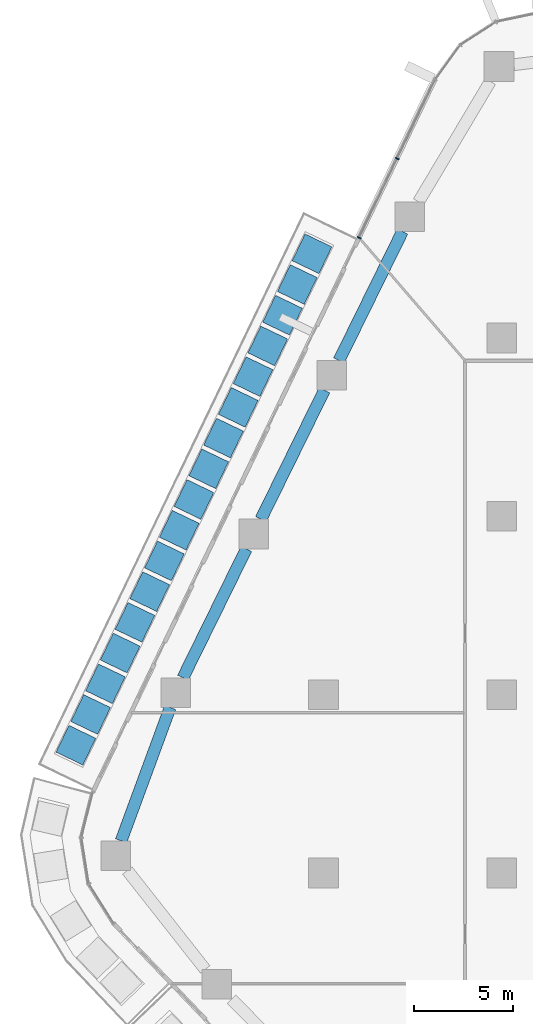
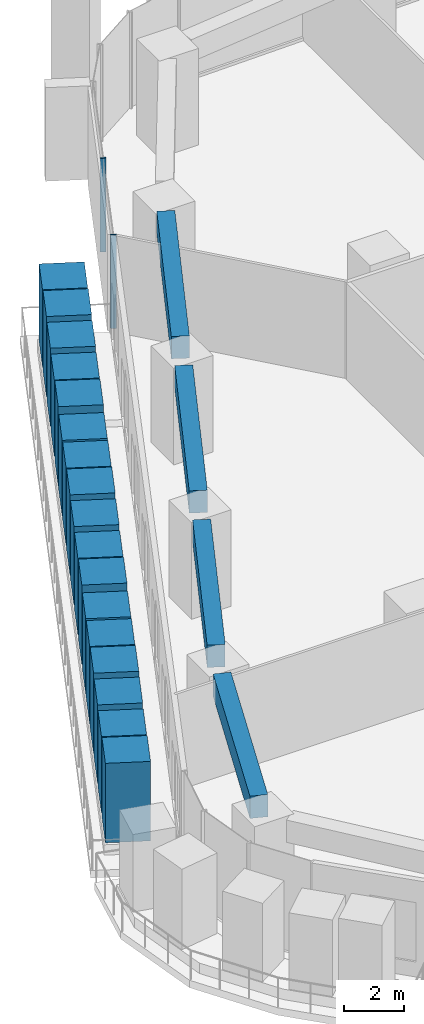
# One storey, part 5 of 23: 19 members, 4 beams, 1 element without a shape of its own.
"""IFC4 building model written with IfcOpenShell, lengths in metres."""

from ifc_helpers import new_model, si_unit, direction, frame, origin, origin_2d, place, context, subcontext, project, spatial, rectangle, extrude, material, layer, layer_set, material_profile, profile_set, type_object, element, aggregate, save


model = new_model("IFC4")

# Units and contexts
model_context = context("Model", 3, precision=1e-05, world=origin(), true_north=direction((0.0, 1.0)))
body_context = subcontext(model_context, "Body", "Model", "MODEL_VIEW")
ifc_project = project(units=[si_unit("LENGTHUNIT", "METRE"), si_unit("AREAUNIT", "SQUARE_METRE"), si_unit("VOLUMEUNIT", "CUBIC_METRE"), si_unit("PLANEANGLEUNIT", "RADIAN"), si_unit("MASSUNIT", "GRAM", prefix="KILO")], contexts=[model_context])

# Site, building, storey
site_placement = place(None, origin())
site = spatial("IfcSite", under=ifc_project, at=site_placement, CompositionType="ELEMENT")
building_placement = place(site_placement, origin())
building = spatial("IfcBuilding", under=site, at=building_placement, Name="Dongbaek Canopy Tower", CompositionType="ELEMENT")
storey_placement = place(building_placement, frame((0.0, 0.0, 84.699951171875)))
storey = spatial("IfcBuildingStorey", under=building, at=storey_placement, Name="L17", CompositionType="ELEMENT", Elevation=84.699951171875)

# Curtain wall, members
ifc_material_1 = material(Name="Aluminium 6063-T6 pale anodised", Category="aluminium")
ifc_layer = layer(ifc_material_1, 0.199951171875)
ifc_layer_set = layer_set([ifc_layer], Name="CW-1 unitised tower curtain wall")
curtain_wall_type = type_object("IfcCurtainWallType", Name="CW-1 unitised tower curtain wall", PredefinedType="NOTDEFINED", material=ifc_layer_set)
curtain_wall_placement = place(storey_placement, origin())
curtain_wall = element("IfcCurtainWall", 1, at=curtain_wall_placement, inside=storey, type_object=curtain_wall_type, Name="CW-1 curtain wall F2.1", PredefinedType="NOTDEFINED")
ifc_material_2 = material(Name="Aluminium 6063-T6 pale anodised", Category="aluminium")
ifc_material_profile_1 = material_profile(ifc_material_2, rectangle(XDim=0.199951171875, YDim=0.06005859375, at=origin_2d()), Name="CW-1 mullion 60 x 200")
ifc_profile_set_1 = profile_set([ifc_material_profile_1], Name="Aluminium 6063-T6 pale anodised")
member_type_1 = type_object("IfcMemberType", Name="CW-1 mullion 60 x 200", PredefinedType="MULLION", material=ifc_profile_set_1)
member_1_placement = place(storey_placement, frame((-23.282958984375, 27.058349609375, 0.1201171875), z_axis=(0.0, 0.0, 1.0), x_axis=(-0.901357104443, 0.433076633254, 0.0)))
member_1 = element("IfcMember", 2, at=member_1_placement, type_object=member_type_1, Name="CW-1 mullion F2.1.2", PredefinedType="MULLION", context=body_context, shape_type="SweptSolid", body=[
    extrude(rectangle(XDim=0.199951171875, YDim=0.06005859375, at=origin_2d()), origin(), (0.0, 0.0, 1.0), 3.780029296875),
])
member_2_placement = place(storey_placement, frame((-25.203125, 23.062255859375, 0.1201171875), z_axis=(0.0, 0.0, 1.0), x_axis=(-0.901357104443, 0.433076633254, 0.0)))
member_2 = element("IfcMember", 3, at=member_2_placement, type_object=member_type_1, Name="CW-1 mullion F2.1.3", PredefinedType="MULLION", context=body_context, shape_type="SweptSolid", body=[
    extrude(rectangle(XDim=0.199951171875, YDim=0.06005859375, at=origin_2d()), origin(), (0.0, 0.0, 1.0), 3.780029296875),
])
aggregate(curtain_wall, [member_1, member_2])

# Beams
ifc_material_3 = material(Name="Concrete C80", Category="concrete")
ifc_material_profile_2 = material_profile(ifc_material_3, rectangle(XDim=0.60009765625, YDim=0.89990234375, at=origin_2d()), Name="RC EDGE BEAM 600x900 C80")
ifc_profile_set_2 = profile_set([ifc_material_profile_2], Name="Concrete C80")
beam_type = type_object("IfcBeamType", Name="RC EDGE BEAM 600x900 C80", PredefinedType="BEAM", material=ifc_profile_set_2)
beam_1_placement = place(storey_placement, frame((-37.213134765625, -7.373046875, 3.449951171875), z_axis=(0.345225397682, 0.938519805223, 0.0), x_axis=(-0.938519805223, 0.345225397682, 0.0)))
element("IfcBeam", 4, at=beam_1_placement, inside=storey, type_object=beam_type, Name="EDGEBEAM:L17:08", PredefinedType="BEAM", context=body_context, shape_type="SweptSolid", body=[
    extrude(rectangle(XDim=0.60009765625, YDim=0.89990234375, at=origin_2d()), origin(), (0.0, 0.0, 1.0), 7.166748046875),
])
beam_2_placement = place(storey_placement, frame((-34.09423828125, 0.85302734375, 3.449951171875), z_axis=(0.441292548313, 0.897363297, 0.0), x_axis=(-0.897363297, 0.441292548313, 0.0)))
element("IfcBeam", 5, at=beam_2_placement, inside=storey, type_object=beam_type, Name="EDGEBEAM:L17:09", PredefinedType="BEAM", context=body_context, shape_type="SweptSolid", body=[
    extrude(rectangle(XDim=0.60009765625, YDim=0.89990234375, at=origin_2d()), origin(), (0.0, 0.0, 1.0), 7.25244140625),
])
for number, where, z_axis, x_axis, name in (
    (6, (-30.156005859375, 8.861083984375, 3.449951171875), (0.441413427837, 0.897303842477, 0.0), (-0.897303842477, 0.441413427837, 0.0), "EDGEBEAM:L17:10"),
    (7, (-26.217041015625, 16.867919921875, 3.449951171875), (0.441318766596, 0.897350403271, 0.0), (-0.897350403271, 0.441318766596, 0.0), "EDGEBEAM:L17:11"),
):
    element("IfcBeam", number, at=place(storey_placement, frame(where, z_axis=z_axis, x_axis=x_axis)), inside=storey, type_object=beam_type, Name=name, PredefinedType="BEAM", context=body_context, shape_type="SweptSolid", body=[
        extrude(rectangle(XDim=0.60009765625, YDim=0.89990234375, at=origin_2d()), origin(), (0.0, 0.0, 1.0), 7.25146484375),
    ])

# Members
ifc_material_4 = material(Name="Concrete C40/50 planter mass with planting", Category="concrete")
ifc_material_profile_3 = material_profile(ifc_material_4, rectangle(XDim=1.5, YDim=1.5, at=origin_2d()), Name="Terrace PLANTER shrub mass 1500 x 1500")
ifc_profile_set_3 = profile_set([ifc_material_profile_3], Name="Concrete C40/50 planter mass with planting")
member_type_2 = type_object("IfcMemberType", Name="Terrace PLANTER shrub mass 1500 x 1500", PredefinedType="USERDEFINED", material=ifc_profile_set_3)
member_3_placement = place(storey_placement, frame((-27.57861328125, 22.251220703125, 0.420166015625), z_axis=(0.0, 0.0, 1.0), x_axis=(-0.901357104443, 0.433076633254, 0.0)))
element("IfcMember", 8, at=member_3_placement, inside=storey, type_object=member_type_2, Name="Planter shrubs L17 2.1", ObjectType="PLANTER", PredefinedType="USERDEFINED", context=body_context, shape_type="SweptSolid", body=[
    extrude(rectangle(XDim=1.5, YDim=1.5, at=origin_2d()), origin(), (0.0, 0.0, 1.0), 3.1298828125),
])
member_4_placement = place(storey_placement, frame((-28.323486328125, 20.701171875, 0.420166015625), z_axis=(0.0, 0.0, 1.0), x_axis=(-0.901357104443, 0.433076633254, 0.0)))
element("IfcMember", 9, at=member_4_placement, inside=storey, type_object=member_type_2, Name="Planter shrubs L17 2.2", ObjectType="PLANTER", PredefinedType="USERDEFINED", context=body_context, shape_type="SweptSolid", body=[
    extrude(rectangle(XDim=1.5, YDim=1.5, at=origin_2d()), origin(), (0.0, 0.0, 1.0), 3.25),
])
member_5_placement = place(storey_placement, frame((-29.068115234375, 19.151123046875, 0.420166015625), z_axis=(0.0, 0.0, 1.0), x_axis=(-0.901357104443, 0.433076633254, 0.0)))
element("IfcMember", 10, at=member_5_placement, inside=storey, type_object=member_type_2, Name="Planter shrubs L17 2.3", ObjectType="PLANTER", PredefinedType="USERDEFINED", context=body_context, shape_type="SweptSolid", body=[
    extrude(rectangle(XDim=1.5, YDim=1.5, at=origin_2d()), origin(), (0.0, 0.0, 1.0), 3.169921875),
])
member_6_placement = place(storey_placement, frame((-29.81298828125, 17.60107421875, 0.420166015625), z_axis=(0.0, 0.0, 1.0), x_axis=(-0.901357104443, 0.433076633254, 0.0)))
element("IfcMember", 11, at=member_6_placement, inside=storey, type_object=member_type_2, Name="Planter shrubs L17 2.4", ObjectType="PLANTER", PredefinedType="USERDEFINED", context=body_context, shape_type="SweptSolid", body=[
    extrude(rectangle(XDim=1.5, YDim=1.5, at=origin_2d()), origin(), (0.0, 0.0, 1.0), 3.08984375),
])
member_7_placement = place(storey_placement, frame((-30.5576171875, 16.051025390625, 0.420166015625), z_axis=(0.0, 0.0, 1.0), x_axis=(-0.901357104443, 0.433076633254, 0.0)))
element("IfcMember", 12, at=member_7_placement, inside=storey, type_object=member_type_2, Name="Planter shrubs L17 2.5", ObjectType="PLANTER", PredefinedType="USERDEFINED", context=body_context, shape_type="SweptSolid", body=[
    extrude(rectangle(XDim=1.5, YDim=1.5, at=origin_2d()), origin(), (0.0, 0.0, 1.0), 3.2099609375),
])
member_8_placement = place(storey_placement, frame((-31.302490234375, 14.5009765625, 0.420166015625), z_axis=(0.0, 0.0, 1.0), x_axis=(-0.901357104443, 0.433076633254, 0.0)))
element("IfcMember", 13, at=member_8_placement, inside=storey, type_object=member_type_2, Name="Planter shrubs L17 2.6", ObjectType="PLANTER", PredefinedType="USERDEFINED", context=body_context, shape_type="SweptSolid", body=[
    extrude(rectangle(XDim=1.5, YDim=1.5, at=origin_2d()), origin(), (0.0, 0.0, 1.0), 3.0498046875),
])
member_9_placement = place(storey_placement, frame((-32.047119140625, 12.950927734375, 0.420166015625), z_axis=(0.0, 0.0, 1.0), x_axis=(-0.901357104443, 0.433076633254, 0.0)))
element("IfcMember", 14, at=member_9_placement, inside=storey, type_object=member_type_2, Name="Planter shrubs L17 2.7", ObjectType="PLANTER", PredefinedType="USERDEFINED", context=body_context, shape_type="SweptSolid", body=[
    extrude(rectangle(XDim=1.5, YDim=1.5, at=origin_2d()), origin(), (0.0, 0.0, 1.0), 3.1298828125),
])
member_10_placement = place(storey_placement, frame((-32.7919921875, 11.40087890625, 0.420166015625), z_axis=(0.0, 0.0, 1.0), x_axis=(-0.901357104443, 0.433076633254, 0.0)))
element("IfcMember", 15, at=member_10_placement, inside=storey, type_object=member_type_2, Name="Planter shrubs L17 2.8", ObjectType="PLANTER", PredefinedType="USERDEFINED", context=body_context, shape_type="SweptSolid", body=[
    extrude(rectangle(XDim=1.5, YDim=1.5, at=origin_2d()), origin(), (0.0, 0.0, 1.0), 3.25),
])
member_11_placement = place(storey_placement, frame((-33.53662109375, 9.850830078125, 0.420166015625), z_axis=(0.0, 0.0, 1.0), x_axis=(-0.901357104443, 0.433076633254, 0.0)))
element("IfcMember", 16, at=member_11_placement, inside=storey, type_object=member_type_2, Name="Planter shrubs L17 2.9", ObjectType="PLANTER", PredefinedType="USERDEFINED", context=body_context, shape_type="SweptSolid", body=[
    extrude(rectangle(XDim=1.5, YDim=1.5, at=origin_2d()), origin(), (0.0, 0.0, 1.0), 3.169921875),
])
member_12_placement = place(storey_placement, frame((-34.281494140625, 8.30078125, 0.420166015625), z_axis=(0.0, 0.0, 1.0), x_axis=(-0.901357104443, 0.433076633254, 0.0)))
element("IfcMember", 17, at=member_12_placement, inside=storey, type_object=member_type_2, Name="Planter shrubs L17 2.10", ObjectType="PLANTER", PredefinedType="USERDEFINED", context=body_context, shape_type="SweptSolid", body=[
    extrude(rectangle(XDim=1.5, YDim=1.5, at=origin_2d()), origin(), (0.0, 0.0, 1.0), 3.08984375),
])
member_13_placement = place(storey_placement, frame((-35.026123046875, 6.750732421875, 0.420166015625), z_axis=(0.0, 0.0, 1.0), x_axis=(-0.901357104443, 0.433076633254, 0.0)))
element("IfcMember", 18, at=member_13_placement, inside=storey, type_object=member_type_2, Name="Planter shrubs L17 2.11", ObjectType="PLANTER", PredefinedType="USERDEFINED", context=body_context, shape_type="SweptSolid", body=[
    extrude(rectangle(XDim=1.5, YDim=1.5, at=origin_2d()), origin(), (0.0, 0.0, 1.0), 3.2099609375),
])
member_14_placement = place(storey_placement, frame((-35.77099609375, 5.20068359375, 0.420166015625), z_axis=(0.0, 0.0, 1.0), x_axis=(-0.901357104443, 0.433076633254, 0.0)))
element("IfcMember", 19, at=member_14_placement, inside=storey, type_object=member_type_2, Name="Planter shrubs L17 2.12", ObjectType="PLANTER", PredefinedType="USERDEFINED", context=body_context, shape_type="SweptSolid", body=[
    extrude(rectangle(XDim=1.5, YDim=1.5, at=origin_2d()), origin(), (0.0, 0.0, 1.0), 3.0498046875),
])
member_15_placement = place(storey_placement, frame((-36.515625, 3.650634765625, 0.420166015625), z_axis=(0.0, 0.0, 1.0), x_axis=(-0.901357104443, 0.433076633254, 0.0)))
element("IfcMember", 20, at=member_15_placement, inside=storey, type_object=member_type_2, Name="Planter shrubs L17 2.13", ObjectType="PLANTER", PredefinedType="USERDEFINED", context=body_context, shape_type="SweptSolid", body=[
    extrude(rectangle(XDim=1.5, YDim=1.5, at=origin_2d()), origin(), (0.0, 0.0, 1.0), 3.1298828125),
])
member_16_placement = place(storey_placement, frame((-37.260498046875, 2.1005859375, 0.420166015625), z_axis=(0.0, 0.0, 1.0), x_axis=(-0.901357104443, 0.433076633254, 0.0)))
element("IfcMember", 21, at=member_16_placement, inside=storey, type_object=member_type_2, Name="Planter shrubs L17 2.14", ObjectType="PLANTER", PredefinedType="USERDEFINED", context=body_context, shape_type="SweptSolid", body=[
    extrude(rectangle(XDim=1.5, YDim=1.5, at=origin_2d()), origin(), (0.0, 0.0, 1.0), 3.25),
])
member_17_placement = place(storey_placement, frame((-38.005126953125, 0.55078125, 0.420166015625), z_axis=(0.0, 0.0, 1.0), x_axis=(-0.901357104443, 0.433076633254, 0.0)))
element("IfcMember", 22, at=member_17_placement, inside=storey, type_object=member_type_2, Name="Planter shrubs L17 2.15", ObjectType="PLANTER", PredefinedType="USERDEFINED", context=body_context, shape_type="SweptSolid", body=[
    extrude(rectangle(XDim=1.5, YDim=1.5, at=origin_2d()), origin(), (0.0, 0.0, 1.0), 3.169921875),
])
member_18_placement = place(storey_placement, frame((-38.75, -0.999267578125, 0.420166015625), z_axis=(0.0, 0.0, 1.0), x_axis=(-0.901357104443, 0.433076633254, 0.0)))
element("IfcMember", 23, at=member_18_placement, inside=storey, type_object=member_type_2, Name="Planter shrubs L17 2.16", ObjectType="PLANTER", PredefinedType="USERDEFINED", context=body_context, shape_type="SweptSolid", body=[
    extrude(rectangle(XDim=1.5, YDim=1.5, at=origin_2d()), origin(), (0.0, 0.0, 1.0), 3.08984375),
])
member_19_placement = place(storey_placement, frame((-39.49462890625, -2.54931640625, 0.420166015625), z_axis=(0.0, 0.0, 1.0), x_axis=(-0.901357104443, 0.433076633254, 0.0)))
element("IfcMember", 24, at=member_19_placement, inside=storey, type_object=member_type_2, Name="Planter shrubs L17 2.17", ObjectType="PLANTER", PredefinedType="USERDEFINED", context=body_context, shape_type="SweptSolid", body=[
    extrude(rectangle(XDim=1.5, YDim=1.5, at=origin_2d()), origin(), (0.0, 0.0, 1.0), 3.2099609375),
])

save(model, "model.ifc")
